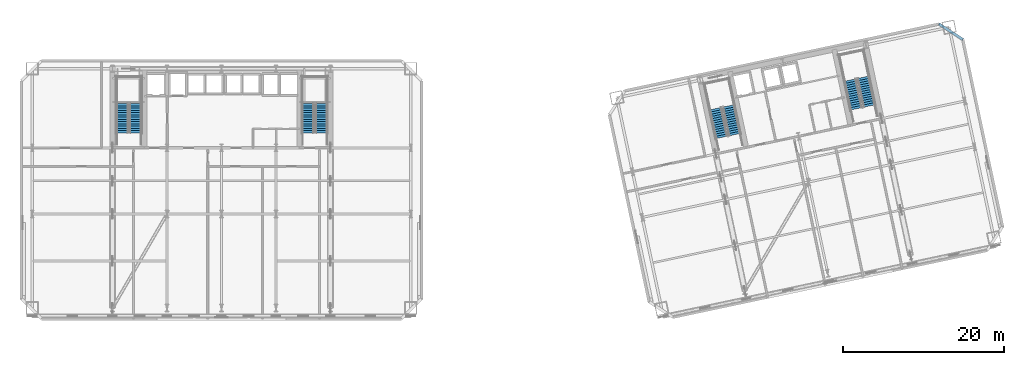
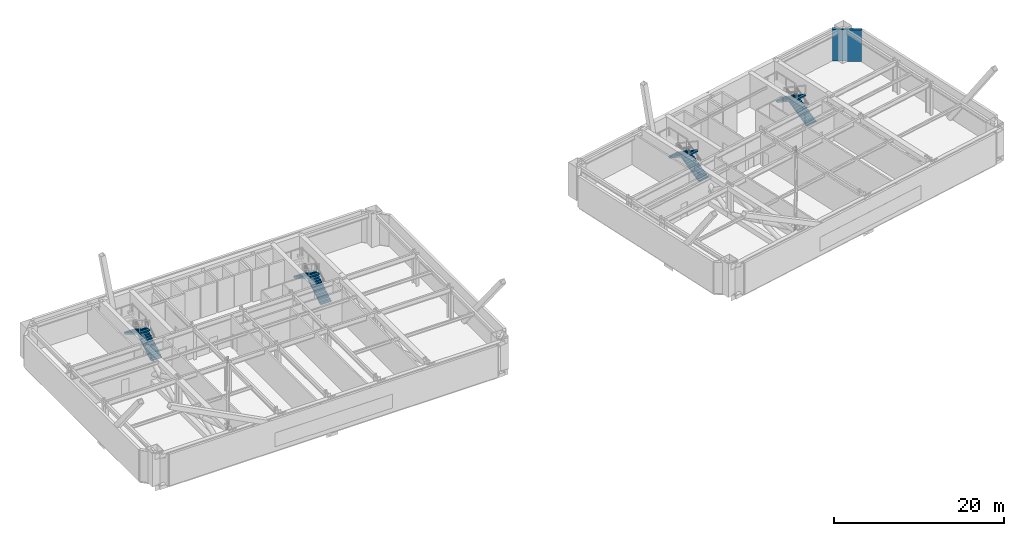
# One storey, part 11 of 17: 8 stair flights, 1 wall, 4 elements without a shape of their own.
"""IFC4 building model written with IfcOpenShell, lengths in metres."""

from ifc_helpers import new_model, si_unit, direction, frame, frame_2d, origin, place, context, subcontext, project, spatial, polyline, rectangle, outline, extrude, material, layer, layer_set, type_object, element, aggregate, save


model = new_model("IFC4")

# Units and contexts
model_context = context("Model", 3, precision=1e-05, world=origin(), true_north=direction((0.0, 1.0)))
body_context = subcontext(model_context, "Body", "Model", "MODEL_VIEW")
ifc_project = project(units=[si_unit("LENGTHUNIT", "METRE"), si_unit("AREAUNIT", "SQUARE_METRE"), si_unit("VOLUMEUNIT", "CUBIC_METRE"), si_unit("PLANEANGLEUNIT", "RADIAN"), si_unit("MASSUNIT", "GRAM", prefix="KILO")], contexts=[model_context])

# Site, building, storey
site_placement = place(None, origin())
site = spatial("IfcSite", under=ifc_project, at=site_placement, CompositionType="ELEMENT")
building_placement = place(site_placement, origin())
building = spatial("IfcBuilding", under=site, at=building_placement, Name="Haevon Station Towers", CompositionType="ELEMENT")
storey_placement = place(building_placement, frame((0.0, 0.0, 81.89990234375)))
storey = spatial("IfcBuildingStorey", under=building, at=storey_placement, Name="L21", CompositionType="ELEMENT", Elevation=81.89990234375)

# Wall
ifc_material_1 = material(Name="Precast concrete C45/55", Category="concrete")
ifc_layer = layer(ifc_material_1, 0.340087890625)
ifc_layer_set = layer_set([ifc_layer], Name="Precast concrete C45/55")
wall_type = type_object("IfcWallType", Name="WL-EXT-PIER340", PredefinedType="SOLIDWALL", material=ifc_layer_set)
wall_placement = place(storey_placement, frame((126.408935546875, 53.54443359375, 0.0), z_axis=(0.0, 0.0, 1.0), x_axis=(0.838672309694, -0.544636352948, 0.0)))
element("IfcWall", 1, at=wall_placement, inside=storey, type_object=wall_type, Name="WL-T2-L21-NEC", PredefinedType="SOLIDWALL", context=body_context, shape_type="SweptSolid", body=[
    extrude(rectangle(XDim=3.535400390625, YDim=0.340087890625, at=frame_2d((1.767578125, 0.0))), origin(), (0.0, 0.0, 1.0), 4.530029296875),
])

# Stair, stair flights
ifc_material_2 = material(Name="Concrete C40/50", Category="concrete")
stair_type = type_object("IfcStairType", Name="STR-DL1450", PredefinedType="USERDEFINED", material=ifc_material_2)
stair_1_placement = place(storey_placement, origin())
stair_1 = element("IfcStair", 2, at=stair_1_placement, inside=storey, type_object=stair_type, Name="L21 Escape Stair ST1", ObjectType="TWO_RETURN_STAIR", PredefinedType="USERDEFINED")
stair_flight_type = type_object("IfcStairFlightType", Name="STF-ST1450", PredefinedType="STRAIGHT", material=ifc_material_2)
stair_flight_1_placement = place(storey_placement, frame((26.85498046875, 40.050048828125, 0.0), z_axis=(0.0, 0.0, 1.0), x_axis=(0.0, 1.0, 0.0)))
stair_flight_1 = element("IfcStairFlight", 3, at=stair_flight_1_placement, type_object=stair_flight_type, Name="L21 ST1 Flight 1", NumberOfRisers=14, NumberOfTreads=13, PredefinedType="STRAIGHT", RiserHeight=0.171428571, TreadLength=0.28, context=body_context, shape_type="SweptSolid", body=[
    extrude(outline(polyline([(0.0, 0.0), (0.0, 0.17138671875), (0.280029296875, 0.17138671875), (0.280029296875, 0.3427734375), (0.56005859375, 0.3427734375), (0.56005859375, 0.514404296875), (0.840087890625, 0.514404296875), (0.840087890625, 0.685791015625), (1.1201171875, 0.685791015625), (1.1201171875, 0.857177734375), (1.39990234375, 0.857177734375), (1.39990234375, 1.028564453125), (1.679931640625, 1.028564453125), (1.679931640625, 1.199951171875), (1.9599609375, 1.199951171875), (1.9599609375, 1.371337890625), (2.239990234375, 1.371337890625), (2.239990234375, 1.54296875), (2.52001953125, 1.54296875), (2.52001953125, 1.71435546875), (2.800048828125, 1.71435546875), (2.800048828125, 1.8857421875), (3.080078125, 1.8857421875), (3.080078125, 2.05712890625), (3.360107421875, 2.05712890625), (3.360107421875, 2.228515625), (3.639892578125, 2.228515625), (3.639892578125, 2.39990234375), (3.639892578125, 2.041015625), (0.30615234375, 0.0), (0.0, 0.0)])), frame((0.0, 0.72509765625, 0.0), z_axis=(0.0, -1.0, 0.0), x_axis=(1.0, 0.0, 0.0)), (0.0, 0.0, 1.0), 1.449951171875),
])
stair_flight_2_placement = place(storey_placement, frame((25.205078125, 43.68994140625, 2.400146484375), z_axis=(0.0, 0.0, 1.0), x_axis=(0.0, -1.0, 0.0)))
stair_flight_2 = element("IfcStairFlight", 4, at=stair_flight_2_placement, type_object=stair_flight_type, Name="L21 ST1 Flight 2", NumberOfRisers=14, NumberOfTreads=13, PredefinedType="STRAIGHT", RiserHeight=0.171428571, TreadLength=0.28, context=body_context, shape_type="SweptSolid", body=[
    extrude(outline(polyline([(0.0, 0.0), (0.0, 0.17138671875), (0.280029296875, 0.17138671875), (0.280029296875, 0.3427734375), (0.56005859375, 0.3427734375), (0.56005859375, 0.514404296875), (0.840087890625, 0.514404296875), (0.840087890625, 0.685791015625), (1.1201171875, 0.685791015625), (1.1201171875, 0.857177734375), (1.39990234375, 0.857177734375), (1.39990234375, 1.028564453125), (1.679931640625, 1.028564453125), (1.679931640625, 1.199951171875), (1.9599609375, 1.199951171875), (1.9599609375, 1.371337890625), (2.239990234375, 1.371337890625), (2.239990234375, 1.54296875), (2.52001953125, 1.54296875), (2.52001953125, 1.71435546875), (2.800048828125, 1.71435546875), (2.800048828125, 1.8857421875), (3.080078125, 1.8857421875), (3.080078125, 2.05712890625), (3.360107421875, 2.05712890625), (3.360107421875, 2.228515625), (3.639892578125, 2.228515625), (3.639892578125, 2.39990234375), (3.639892578125, 2.041015625), (0.30615234375, 0.0), (0.0, 0.0)])), frame((0.0, 0.72509765625, 0.0), z_axis=(0.0, -1.0, 0.0), x_axis=(1.0, 0.0, 0.0)), (0.0, 0.0, 1.0), 1.449951171875),
])
aggregate(stair_1, [stair_flight_1, stair_flight_2])

stair_2_placement = place(storey_placement, origin())
stair_2 = element("IfcStair", 5, at=stair_2_placement, inside=storey, type_object=stair_type, Name="L21 Escape Stair ST2", ObjectType="TWO_RETURN_STAIR", PredefinedType="USERDEFINED")
stair_flight_3_placement = place(storey_placement, frame((49.89501953125, 40.050048828125, 0.0), z_axis=(0.0, 0.0, 1.0), x_axis=(0.0, 1.0, 0.0)))
stair_flight_3 = element("IfcStairFlight", 6, at=stair_flight_3_placement, type_object=stair_flight_type, Name="L21 ST2 Flight 1", NumberOfRisers=14, NumberOfTreads=13, PredefinedType="STRAIGHT", RiserHeight=0.171428571, TreadLength=0.28, context=body_context, shape_type="SweptSolid", body=[
    extrude(outline(polyline([(0.0, 0.0), (0.0, 0.17138671875), (0.280029296875, 0.17138671875), (0.280029296875, 0.3427734375), (0.56005859375, 0.3427734375), (0.56005859375, 0.514404296875), (0.840087890625, 0.514404296875), (0.840087890625, 0.685791015625), (1.1201171875, 0.685791015625), (1.1201171875, 0.857177734375), (1.39990234375, 0.857177734375), (1.39990234375, 1.028564453125), (1.679931640625, 1.028564453125), (1.679931640625, 1.199951171875), (1.9599609375, 1.199951171875), (1.9599609375, 1.371337890625), (2.239990234375, 1.371337890625), (2.239990234375, 1.54296875), (2.52001953125, 1.54296875), (2.52001953125, 1.71435546875), (2.800048828125, 1.71435546875), (2.800048828125, 1.8857421875), (3.080078125, 1.8857421875), (3.080078125, 2.05712890625), (3.360107421875, 2.05712890625), (3.360107421875, 2.228515625), (3.639892578125, 2.228515625), (3.639892578125, 2.39990234375), (3.639892578125, 2.041015625), (0.30615234375, 0.0), (0.0, 0.0)])), frame((0.0, 0.72509765625, 0.0), z_axis=(0.0, -1.0, 0.0), x_axis=(1.0, 0.0, 0.0)), (0.0, 0.0, 1.0), 1.449951171875),
])
stair_flight_4_placement = place(storey_placement, frame((48.2451171875, 43.68994140625, 2.400146484375), z_axis=(0.0, 0.0, 1.0), x_axis=(0.0, -1.0, 0.0)))
stair_flight_4 = element("IfcStairFlight", 7, at=stair_flight_4_placement, type_object=stair_flight_type, Name="L21 ST2 Flight 2", NumberOfRisers=14, NumberOfTreads=13, PredefinedType="STRAIGHT", RiserHeight=0.171428571, TreadLength=0.28, context=body_context, shape_type="SweptSolid", body=[
    extrude(outline(polyline([(0.0, 0.0), (0.0, 0.17138671875), (0.280029296875, 0.17138671875), (0.280029296875, 0.3427734375), (0.56005859375, 0.3427734375), (0.56005859375, 0.514404296875), (0.840087890625, 0.514404296875), (0.840087890625, 0.685791015625), (1.1201171875, 0.685791015625), (1.1201171875, 0.857177734375), (1.39990234375, 0.857177734375), (1.39990234375, 1.028564453125), (1.679931640625, 1.028564453125), (1.679931640625, 1.199951171875), (1.9599609375, 1.199951171875), (1.9599609375, 1.371337890625), (2.239990234375, 1.371337890625), (2.239990234375, 1.54296875), (2.52001953125, 1.54296875), (2.52001953125, 1.71435546875), (2.800048828125, 1.71435546875), (2.800048828125, 1.8857421875), (3.080078125, 1.8857421875), (3.080078125, 2.05712890625), (3.360107421875, 2.05712890625), (3.360107421875, 2.228515625), (3.639892578125, 2.228515625), (3.639892578125, 2.39990234375), (3.639892578125, 2.041015625), (0.30615234375, 0.0), (0.0, 0.0)])), frame((0.0, 0.72509765625, 0.0), z_axis=(0.0, -1.0, 0.0), x_axis=(1.0, 0.0, 0.0)), (0.0, 0.0, 1.0), 1.449951171875),
])
aggregate(stair_2, [stair_flight_3, stair_flight_4])

stair_3_placement = place(storey_placement, origin())
stair_3 = element("IfcStair", 8, at=stair_3_placement, inside=storey, type_object=stair_type, Name="L21 Escape Stair ST3", ObjectType="TWO_RETURN_STAIR", PredefinedType="USERDEFINED")
stair_flight_5_placement = place(storey_placement, frame((101.1015625, 39.8330078125, 0.0), z_axis=(0.0, 0.0, 1.0), x_axis=(-0.207911690818, 0.978147600734, 0.0)))
stair_flight_5 = element("IfcStairFlight", 9, at=stair_flight_5_placement, type_object=stair_flight_type, Name="L21 ST3 Flight 1", NumberOfRisers=14, NumberOfTreads=13, PredefinedType="STRAIGHT", RiserHeight=0.171428571, TreadLength=0.28, context=body_context, shape_type="SweptSolid", body=[
    extrude(outline(polyline([(0.0, 0.0), (0.0, 0.17138671875), (0.280029296875, 0.17138671875), (0.280029296875, 0.3427734375), (0.56005859375, 0.3427734375), (0.56005859375, 0.514404296875), (0.840087890625, 0.514404296875), (0.840087890625, 0.685791015625), (1.1201171875, 0.685791015625), (1.1201171875, 0.857177734375), (1.39990234375, 0.857177734375), (1.39990234375, 1.028564453125), (1.679931640625, 1.028564453125), (1.679931640625, 1.199951171875), (1.9599609375, 1.199951171875), (1.9599609375, 1.371337890625), (2.239990234375, 1.371337890625), (2.239990234375, 1.54296875), (2.52001953125, 1.54296875), (2.52001953125, 1.71435546875), (2.800048828125, 1.71435546875), (2.800048828125, 1.8857421875), (3.080078125, 1.8857421875), (3.080078125, 2.05712890625), (3.360107421875, 2.05712890625), (3.360107421875, 2.228515625), (3.639892578125, 2.228515625), (3.639892578125, 2.39990234375), (3.639892578125, 2.041015625), (0.30615234375, 0.0), (0.0, 0.0)])), frame((0.0, 0.72509765625, 0.0), z_axis=(0.0, -1.0, 0.0), x_axis=(1.0, 0.0, 0.0)), (0.0, 0.0, 1.0), 1.449951171875),
])
stair_flight_6_placement = place(storey_placement, frame((98.73095703125, 43.050537109375, 2.400146484375), z_axis=(0.0, 0.0, 1.0), x_axis=(0.207911690818, -0.978147600734, 0.0)))
stair_flight_6 = element("IfcStairFlight", 10, at=stair_flight_6_placement, type_object=stair_flight_type, Name="L21 ST3 Flight 2", NumberOfRisers=14, NumberOfTreads=13, PredefinedType="STRAIGHT", RiserHeight=0.171428571, TreadLength=0.28, context=body_context, shape_type="SweptSolid", body=[
    extrude(outline(polyline([(0.0, 0.0), (0.0, 0.17138671875), (0.280029296875, 0.17138671875), (0.280029296875, 0.3427734375), (0.56005859375, 0.3427734375), (0.56005859375, 0.514404296875), (0.840087890625, 0.514404296875), (0.840087890625, 0.685791015625), (1.1201171875, 0.685791015625), (1.1201171875, 0.857177734375), (1.39990234375, 0.857177734375), (1.39990234375, 1.028564453125), (1.679931640625, 1.028564453125), (1.679931640625, 1.199951171875), (1.9599609375, 1.199951171875), (1.9599609375, 1.371337890625), (2.239990234375, 1.371337890625), (2.239990234375, 1.54296875), (2.52001953125, 1.54296875), (2.52001953125, 1.71435546875), (2.800048828125, 1.71435546875), (2.800048828125, 1.8857421875), (3.080078125, 1.8857421875), (3.080078125, 2.05712890625), (3.360107421875, 2.05712890625), (3.360107421875, 2.228515625), (3.639892578125, 2.228515625), (3.639892578125, 2.39990234375), (3.639892578125, 2.041015625), (0.30615234375, 0.0), (0.0, 0.0)])), frame((0.0, 0.72509765625, 0.0), z_axis=(0.0, -1.0, 0.0), x_axis=(1.0, 0.0, 0.0)), (0.0, 0.0, 1.0), 1.449951171875),
])
aggregate(stair_3, [stair_flight_5, stair_flight_6])

stair_4_placement = place(storey_placement, origin())
stair_4 = element("IfcStair", 11, at=stair_4_placement, inside=storey, type_object=stair_type, Name="L21 Escape Stair ST4", ObjectType="TWO_RETURN_STAIR", PredefinedType="USERDEFINED")
stair_flight_7_placement = place(storey_placement, frame((117.788818359375, 43.380126953125, 0.0), z_axis=(0.0, 0.0, 1.0), x_axis=(-0.207911690818, 0.978147600734, 0.0)))
stair_flight_7 = element("IfcStairFlight", 12, at=stair_flight_7_placement, type_object=stair_flight_type, Name="L21 ST4 Flight 1", NumberOfRisers=14, NumberOfTreads=13, PredefinedType="STRAIGHT", RiserHeight=0.171428571, TreadLength=0.28, context=body_context, shape_type="SweptSolid", body=[
    extrude(outline(polyline([(0.0, 0.0), (0.0, 0.17138671875), (0.280029296875, 0.17138671875), (0.280029296875, 0.3427734375), (0.56005859375, 0.3427734375), (0.56005859375, 0.514404296875), (0.840087890625, 0.514404296875), (0.840087890625, 0.685791015625), (1.1201171875, 0.685791015625), (1.1201171875, 0.857177734375), (1.39990234375, 0.857177734375), (1.39990234375, 1.028564453125), (1.679931640625, 1.028564453125), (1.679931640625, 1.199951171875), (1.9599609375, 1.199951171875), (1.9599609375, 1.371337890625), (2.239990234375, 1.371337890625), (2.239990234375, 1.54296875), (2.52001953125, 1.54296875), (2.52001953125, 1.71435546875), (2.800048828125, 1.71435546875), (2.800048828125, 1.8857421875), (3.080078125, 1.8857421875), (3.080078125, 2.05712890625), (3.360107421875, 2.05712890625), (3.360107421875, 2.228515625), (3.639892578125, 2.228515625), (3.639892578125, 2.39990234375), (3.639892578125, 2.041015625), (0.30615234375, 0.0), (0.0, 0.0)])), frame((0.0, 0.72509765625, 0.0), z_axis=(0.0, -1.0, 0.0), x_axis=(1.0, 0.0, 0.0)), (0.0, 0.0, 1.0), 1.449951171875),
])
stair_flight_8_placement = place(storey_placement, frame((115.418212890625, 46.597412109375, 2.400146484375), z_axis=(0.0, 0.0, 1.0), x_axis=(0.207911690818, -0.978147600734, 0.0)))
stair_flight_8 = element("IfcStairFlight", 13, at=stair_flight_8_placement, type_object=stair_flight_type, Name="L21 ST4 Flight 2", NumberOfRisers=14, NumberOfTreads=13, PredefinedType="STRAIGHT", RiserHeight=0.171428571, TreadLength=0.28, context=body_context, shape_type="SweptSolid", body=[
    extrude(outline(polyline([(0.0, 0.0), (0.0, 0.17138671875), (0.280029296875, 0.17138671875), (0.280029296875, 0.3427734375), (0.56005859375, 0.3427734375), (0.56005859375, 0.514404296875), (0.840087890625, 0.514404296875), (0.840087890625, 0.685791015625), (1.1201171875, 0.685791015625), (1.1201171875, 0.857177734375), (1.39990234375, 0.857177734375), (1.39990234375, 1.028564453125), (1.679931640625, 1.028564453125), (1.679931640625, 1.199951171875), (1.9599609375, 1.199951171875), (1.9599609375, 1.371337890625), (2.239990234375, 1.371337890625), (2.239990234375, 1.54296875), (2.52001953125, 1.54296875), (2.52001953125, 1.71435546875), (2.800048828125, 1.71435546875), (2.800048828125, 1.8857421875), (3.080078125, 1.8857421875), (3.080078125, 2.05712890625), (3.360107421875, 2.05712890625), (3.360107421875, 2.228515625), (3.639892578125, 2.228515625), (3.639892578125, 2.39990234375), (3.639892578125, 2.041015625), (0.30615234375, 0.0), (0.0, 0.0)])), frame((0.0, 0.72509765625, 0.0), z_axis=(0.0, -1.0, 0.0), x_axis=(1.0, 0.0, 0.0)), (0.0, 0.0, 1.0), 1.449951171875),
])
aggregate(stair_4, [stair_flight_7, stair_flight_8])

save(model, "model.ifc")
